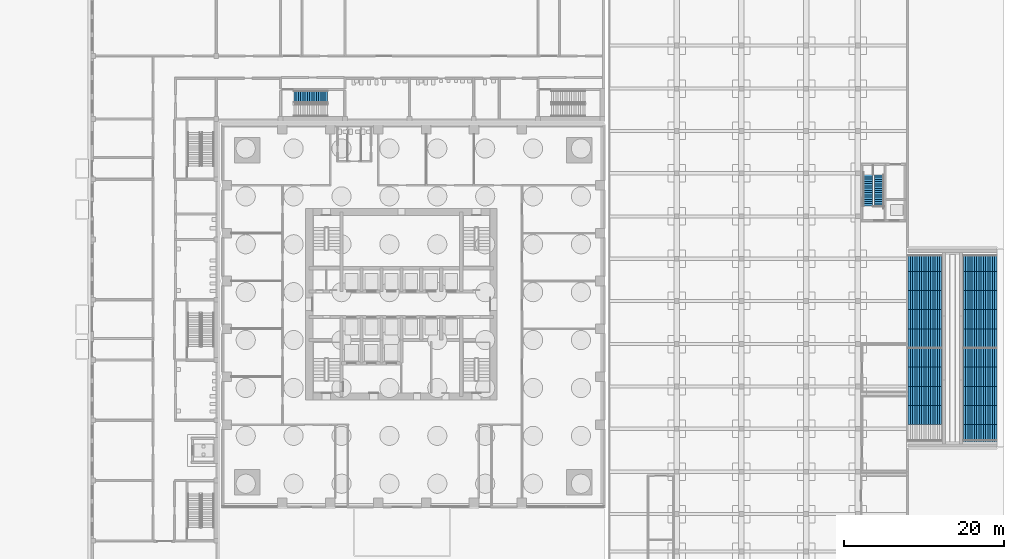
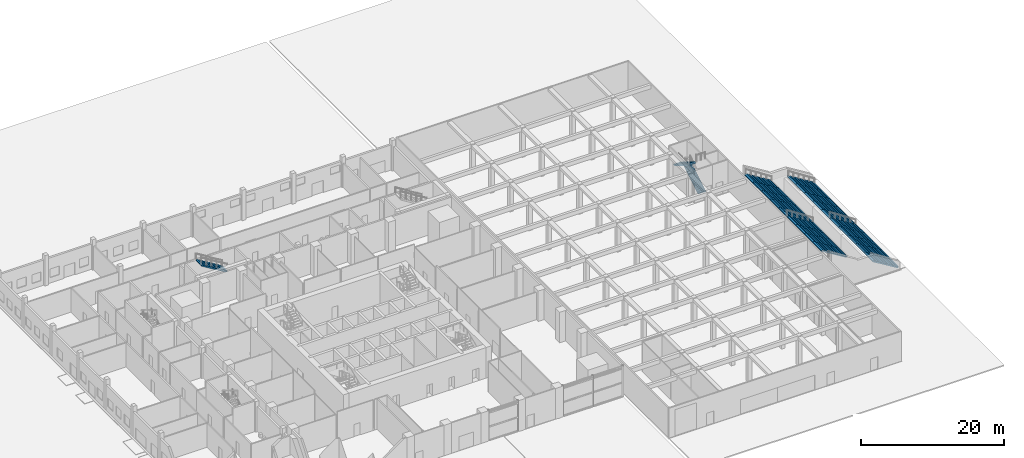
# One storey, part 22 of 33: 22 stair flights, 3 elements without a shape of their own.
"""IFC4 building model written with IfcOpenShell, lengths in metres."""

import ifcopenshell
import ifcopenshell.guid

model = None  # the IFC model being written
_history = None  # IfcOwnerHistory: only IFC2X3 demands one
_inside = {}  # id of a spatial element -> (the spatial element, [elements in it])
_under = {}  # id of a project, library or spatial element -> (it, [spatial elements below it])
_declared = {}  # id of a project -> (the project, [libraries it declares])
_typed = {}  # id of a type object -> (the type object, [elements of that type])
_made_of = {}  # id of a material, layer set ... -> (it, [elements and type objects made of it])


def new_model(schema):
    """Start an empty IFC model of exactly this schema.

    Asked for "IFC4X3", IfcOpenShell would pick the latest addendum, in which some entities
    have other attributes; the version numbers below select the first issue.
    IFC2X3 requires an IfcOwnerHistory on every rooted entity: one is made here for all.
    """
    global model, _history
    if schema == "IFC4X3":
        model = ifcopenshell.file(schema_version=(4, 3, 0, 0))
    else:
        model = ifcopenshell.file(schema=schema)
    _inside.clear()
    _under.clear()
    _declared.clear()
    _typed.clear()
    _made_of.clear()
    _history = None
    if model.schema == "IFC2X3":
        org = make("IfcOrganization", Name="unknown")
        user = make(
            "IfcPersonAndOrganization",
            ThePerson=make("IfcPerson", FamilyName="unknown"),
            TheOrganization=org,
        )
        app = make(
            "IfcApplication",
            ApplicationDeveloper=org,
            Version="unknown",
            ApplicationFullName="unknown",
            ApplicationIdentifier="unknown",
        )
        _history = make(
            "IfcOwnerHistory",
            OwningUser=user,
            OwningApplication=app,
            ChangeAction="ADDED",
            CreationDate=0,
        )
    return model


def make(cls, **values):
    """One entity of the class cls with the attributes given. An attribute that is None is left unset."""
    return model.create_entity(
        cls, **{name: value for name, value in values.items() if value is not None}
    )


def rooted(cls, **values):
    """An entity with a GlobalId (a new one), such as an element, a storey or a relation."""
    return make(cls, GlobalId=ifcopenshell.guid.new(), OwnerHistory=_history, **values)


def si_unit(unit_type, name, prefix=None):
    """IfcSIUnit, for example si_unit("LENGTHUNIT", "METRE", prefix="MILLI")."""
    return make("IfcSIUnit", UnitType=unit_type, Prefix=prefix, Name=name)


def assignment(units):
    """IfcUnitAssignment: the units of a project."""
    return None if units is None else make("IfcUnitAssignment", Units=units)


def point(xyz):
    """IfcCartesianPoint."""
    return None if xyz is None else make("IfcCartesianPoint", Coordinates=xyz)


def direction(xyz):
    """IfcDirection."""
    return None if xyz is None else make("IfcDirection", DirectionRatios=xyz)


def frame(location, z_axis=None, x_axis=None):
    """IfcAxis2Placement3D, a coordinate frame: its origin and axes. An axis left out is left unset."""
    return make(
        "IfcAxis2Placement3D",
        Location=point(location),
        Axis=direction(z_axis),
        RefDirection=direction(x_axis),
    )


def origin():
    """The frame at (0, 0, 0) with its axes left unset."""
    return frame((0.0, 0.0, 0.0))


def place(relative_to, where):
    """IfcLocalPlacement: puts the frame where relative to a parent placement (None: the world)."""
    return make(
        "IfcLocalPlacement", PlacementRelTo=relative_to, RelativePlacement=where
    )


def context(
    kind, dimensions, precision=None, world=None, true_north=None, identifier=None
):
    """IfcGeometricRepresentationContext, for example the 3D "Model" context."""
    return make(
        "IfcGeometricRepresentationContext",
        ContextIdentifier=identifier,
        ContextType=kind,
        CoordinateSpaceDimension=dimensions,
        Precision=precision,
        WorldCoordinateSystem=world,
        TrueNorth=true_north,
    )


def subcontext(parent, identifier, kind, view, scale=None):
    """IfcGeometricRepresentationSubContext, for example "Body" below "Model"."""
    return make(
        "IfcGeometricRepresentationSubContext",
        ContextIdentifier=identifier,
        ContextType=kind,
        ParentContext=parent,
        TargetScale=scale,
        TargetView=view,
    )


def project(units=None, contexts=None):
    """IfcProject with its units and contexts."""
    return rooted(
        "IfcProject",
        Name="project",
        RepresentationContexts=contexts,
        UnitsInContext=assignment(units),
    )


def spatial(cls, under=None, at=None, **own):
    """A site, building, storey or space (cls), placed at a placement, below another one or the project."""
    s = rooted(cls, ObjectPlacement=at, **own)
    if under is not None:
        _under.setdefault(under.id(), (under, []))[1].append(s)
    return s


def polyline(points):
    """IfcPolyline through the points."""
    return make("IfcPolyline", Points=[point(p) for p in points])


def outline(outer, holes=None, kind="AREA"):
    """IfcArbitraryClosedProfileDef: a profile drawn as a closed curve; with holes, ...WithVoids."""
    if holes is None:
        return make("IfcArbitraryClosedProfileDef", ProfileType=kind, OuterCurve=outer)
    return make(
        "IfcArbitraryProfileDefWithVoids",
        ProfileType=kind,
        OuterCurve=outer,
        InnerCurves=holes,
    )


def extrude(swept, where, along, depth):
    """IfcExtrudedAreaSolid: the profile swept, set in the frame where, extruded along a direction by depth."""
    return make(
        "IfcExtrudedAreaSolid",
        SweptArea=swept,
        Position=where,
        ExtrudedDirection=direction(along),
        Depth=depth,
    )


def shape(context_of_items, identifier, shape_type, items):
    """IfcShapeRepresentation: the items that make up one representation, for example the "Body"."""
    return make(
        "IfcShapeRepresentation",
        ContextOfItems=context_of_items,
        RepresentationIdentifier=identifier,
        RepresentationType=shape_type,
        Items=items,
    )


def material(Name=None, Category=None):
    """IfcMaterial."""
    return make("IfcMaterial", Name=Name, Category=Category)


def made_of(thing, what):
    """Note that an element or type object is made of a material, layer set ...; save() writes the relation."""
    if what is not None:
        _made_of.setdefault(what.id(), (what, []))[1].append(thing)
    return thing


def type_object(cls, material=None, **own):
    """A type object (cls), such as IfcWallType, which elements share."""
    return made_of(rooted(cls, **own), material)


def element(
    cls,
    number,
    at=None,
    inside=None,
    cuts=None,
    type_object=None,
    material=None,
    context=None,
    identifier="Body",
    shape_type=None,
    held_by="IfcProductDefinitionShape",
    body=None,
    shapes=None,
    **own,
):
    """One element of the class cls, such as IfcWall. Its Tag is "e" and its number.

    at: its placement. inside: the storey or other place that contains it. cuts: it is an
    opening in that element (IfcRelVoidsElement). A single representation is given by context,
    identifier, shape_type and body (its items); several are given by shapes. held_by: the class
    of the entity that holds the representations. save() writes the other relations.
    """
    e = rooted(cls, Tag="e%d" % number, ObjectPlacement=at, **own)
    if body is not None:
        shapes = [shape(context, identifier, shape_type, body)]
    if shapes is not None:
        e.Representation = make(held_by, Representations=shapes)
    if inside is not None:
        _inside.setdefault(inside.id(), (inside, []))[1].append(e)
    if cuts is not None:
        rooted(
            "IfcRelVoidsElement", RelatingBuildingElement=cuts, RelatedOpeningElement=e
        )
    if type_object is not None:
        _typed.setdefault(type_object.id(), (type_object, []))[1].append(e)
    return made_of(e, material)


def aggregate(whole, parts):
    """IfcRelAggregates: a whole, such as a stair, and the parts it consists of."""
    return rooted("IfcRelAggregates", RelatingObject=whole, RelatedObjects=parts)


def save(model, path):
    """Write the relations noted so far, then the file.

    IfcRelAggregates (storeys below a building ...), IfcRelContainedInSpatialStructure (elements
    in a storey), IfcRelDefinesByType, IfcRelAssociatesMaterial and IfcRelDeclares: one each for
    every whole, place, type object, material and project.
    """
    for whole, parts in _under.values():
        aggregate(whole, parts)
    for where, things in _inside.values():
        rooted(
            "IfcRelContainedInSpatialStructure",
            RelatedElements=things,
            RelatingStructure=where,
        )
    for kind, things in _typed.values():
        rooted("IfcRelDefinesByType", RelatedObjects=things, RelatingType=kind)
    for what, things in _made_of.values():
        rooted("IfcRelAssociatesMaterial", RelatedObjects=things, RelatingMaterial=what)
    for by, libraries in _declared.values():
        rooted("IfcRelDeclares", RelatingContext=by, RelatedDefinitions=libraries)
    model.write(path)


model = new_model("IFC4")

# Units and contexts
model_context = context("Model", 3, precision=1e-05, world=origin(), true_north=direction((0.0, 1.0)))
body_context = subcontext(model_context, "Body", "Model", "MODEL_VIEW")
ifc_project = project(units=[si_unit("LENGTHUNIT", "METRE"), si_unit("AREAUNIT", "SQUARE_METRE"), si_unit("VOLUMEUNIT", "CUBIC_METRE"), si_unit("PLANEANGLEUNIT", "RADIAN"), si_unit("MASSUNIT", "GRAM", prefix="KILO")], contexts=[model_context])

# Site, building, storey
site_placement = place(None, origin())
site = spatial("IfcSite", under=ifc_project, at=site_placement, CompositionType="ELEMENT")
building_placement = place(site_placement, origin())
building = spatial("IfcBuilding", under=site, at=building_placement, Name="Amberfall Residences", CompositionType="ELEMENT")
storey_placement = place(building_placement, origin())
storey = spatial("IfcBuildingStorey", under=building, at=storey_placement, Name="L00", CompositionType="ELEMENT", Elevation=0.0)

# Stair, stair flights
ifc_material_1 = material(Name="Reinforced concrete C40", Category="concrete")
stair_type_1 = type_object("IfcStairType", Name="Core stair 1200", PredefinedType="HALF_TURN_STAIR", material=ifc_material_1)
stair_1_placement = place(storey_placement, origin())
stair_1 = element("IfcStair", 1, at=stair_1_placement, inside=storey, type_object=stair_type_1, Name="Garden core stair", PredefinedType="HALF_TURN_STAIR")
stair_flight_type_1 = type_object("IfcStairFlightType", Name="Core stair flight 1200", PredefinedType="STRAIGHT", material=ifc_material_1)
stair_flight_1_placement = place(storey_placement, frame((134.35009765625, 57.5, 0.0), z_axis=(0.0, 0.0, 1.0), x_axis=(0.0, 1.0, 0.0)))
stair_flight_1 = element("IfcStairFlight", 2, at=stair_flight_1_placement, type_object=stair_flight_type_1, Name="GST2 flight 1", NumberOfRisers=16, NumberOfTreads=15, PredefinedType="STRAIGHT", RiserHeight=0.171875, TreadLength=0.28, context=body_context, shape_type="SweptSolid", body=[
    extrude(outline(polyline([(0.0, 0.0), (0.0, 0.171875), (0.280029296875, 0.171875), (0.280029296875, 0.34375), (0.56005859375, 0.34375), (0.56005859375, 0.515625), (0.840087890625, 0.515625), (0.840087890625, 0.6875), (1.1201171875, 0.6875), (1.1201171875, 0.859375), (1.39990234375, 0.859375), (1.39990234375, 1.03125), (1.679931640625, 1.03125), (1.679931640625, 1.203125), (1.9599609375, 1.203125), (1.9599609375, 1.375), (2.239990234375, 1.375), (2.239990234375, 1.546875), (2.52001953125, 1.546875), (2.52001953125, 1.71875), (2.800048828125, 1.71875), (2.800048828125, 1.890625), (3.080078125, 1.890625), (3.080078125, 2.0625), (3.360107421875, 2.0625), (3.360107421875, 2.234375), (3.639892578125, 2.234375), (3.639892578125, 2.40625), (3.919921875, 2.40625), (3.919921875, 2.578125), (4.199951171875, 2.578125), (4.199951171875, 2.75), (4.199951171875, 2.40234375), (0.28662109375, 0.0), (0.0, 0.0)])), frame((0.0, 0.60009765625, 0.0), z_axis=(0.0, -1.0, 0.0), x_axis=(1.0, 0.0, 0.0)), (0.0, 0.0, 1.0), 1.199951171875),
])
stair_flight_2_placement = place(storey_placement, frame((132.949951171875, 62.0, 2.75), z_axis=(0.0, 0.0, 1.0), x_axis=(0.0, -1.0, 0.0)))
stair_flight_2 = element("IfcStairFlight", 3, at=stair_flight_2_placement, type_object=stair_flight_type_1, Name="GST2 flight 2", NumberOfRisers=16, NumberOfTreads=15, PredefinedType="STRAIGHT", RiserHeight=0.171875, TreadLength=0.28, context=body_context, shape_type="SweptSolid", body=[
    extrude(outline(polyline([(0.0, 0.0), (0.0, 0.171875), (0.280029296875, 0.171875), (0.280029296875, 0.34375), (0.56005859375, 0.34375), (0.56005859375, 0.515625), (0.840087890625, 0.515625), (0.840087890625, 0.6875), (1.1201171875, 0.6875), (1.1201171875, 0.859375), (1.39990234375, 0.859375), (1.39990234375, 1.03125), (1.679931640625, 1.03125), (1.679931640625, 1.203125), (1.9599609375, 1.203125), (1.9599609375, 1.375), (2.239990234375, 1.375), (2.239990234375, 1.546875), (2.52001953125, 1.546875), (2.52001953125, 1.71875), (2.800048828125, 1.71875), (2.800048828125, 1.890625), (3.080078125, 1.890625), (3.080078125, 2.0625), (3.360107421875, 2.0625), (3.360107421875, 2.234375), (3.639892578125, 2.234375), (3.639892578125, 2.40625), (3.919921875, 2.40625), (3.919921875, 2.578125), (4.199951171875, 2.578125), (4.199951171875, 2.75), (4.199951171875, 2.40234375), (0.28662109375, 0.0), (0.0, 0.0)])), frame((0.0, 0.60009765625, 0.0), z_axis=(0.0, -1.0, 0.0), x_axis=(1.0, 0.0, 0.0)), (0.0, 0.0, 1.0), 1.199951171875),
])
aggregate(stair_1, [stair_flight_1, stair_flight_2])

stair_type_2 = type_object("IfcStairType", Name="Deck stair 24000", PredefinedType="STRAIGHT_RUN_STAIR", material=ifc_material_1)
stair_2_placement = place(storey_placement, origin())
stair_2 = element("IfcStair", 4, at=stair_2_placement, inside=storey, type_object=stair_type_2, Name="Garden deck broad stair", PredefinedType="STRAIGHT_RUN_STAIR")
stair_flight_type_2 = type_object("IfcStairFlightType", Name="Deck stair flight 24000", PredefinedType="STRAIGHT", material=ifc_material_1)
stair_flight_3_placement = place(storey_placement, frame((149.10009765625, 29.199951171875, 0.0), z_axis=(0.0, 0.0, 1.0), x_axis=(-1.0, 0.0, 0.0)))
stair_flight_3 = element("IfcStairFlight", 5, at=stair_flight_3_placement, type_object=stair_flight_type_2, Name="GST1 flight 1", NumberOfRisers=16, NumberOfTreads=15, PredefinedType="STRAIGHT", RiserHeight=0.171875, TreadLength=0.28, context=body_context, shape_type="SweptSolid", body=[
    extrude(outline(polyline([(0.0, 0.0), (0.0, 0.171875), (0.280029296875, 0.171875), (0.280029296875, 0.34375), (0.56005859375, 0.34375), (0.56005859375, 0.515625), (0.840087890625, 0.515625), (0.840087890625, 0.6875), (1.1201171875, 0.6875), (1.1201171875, 0.859375), (1.39990234375, 0.859375), (1.39990234375, 1.03125), (1.679931640625, 1.03125), (1.679931640625, 1.203125), (1.9599609375, 1.203125), (1.9599609375, 1.375), (2.239990234375, 1.375), (2.239990234375, 1.546875), (2.52001953125, 1.546875), (2.52001953125, 1.71875), (2.800048828125, 1.71875), (2.800048828125, 1.890625), (3.080078125, 1.890625), (3.080078125, 2.0625), (3.360107421875, 2.0625), (3.360107421875, 2.234375), (3.639892578125, 2.234375), (3.639892578125, 2.40625), (3.919921875, 2.40625), (3.919921875, 2.578125), (4.199951171875, 2.578125), (4.199951171875, 2.75), (4.199951171875, 2.40234375), (0.28662109375, 0.0), (0.0, 0.0)])), frame((0.0, 1.199951171875, 0.0), z_axis=(0.0, -1.0, 0.0), x_axis=(1.0, 0.0, 0.0)), (0.0, 0.0, 1.0), 2.39990234375),
])
stair_flight_4_placement = place(storey_placement, frame((149.10009765625, 31.60009765625, 0.0), z_axis=(0.0, 0.0, 1.0), x_axis=(-1.0, 0.0, 0.0)))
stair_flight_4 = element("IfcStairFlight", 6, at=stair_flight_4_placement, type_object=stair_flight_type_2, Name="GST1 flight 2", NumberOfRisers=16, NumberOfTreads=15, PredefinedType="STRAIGHT", RiserHeight=0.171875, TreadLength=0.28, context=body_context, shape_type="SweptSolid", body=[
    extrude(outline(polyline([(0.0, 0.0), (0.0, 0.171875), (0.280029296875, 0.171875), (0.280029296875, 0.34375), (0.56005859375, 0.34375), (0.56005859375, 0.515625), (0.840087890625, 0.515625), (0.840087890625, 0.6875), (1.1201171875, 0.6875), (1.1201171875, 0.859375), (1.39990234375, 0.859375), (1.39990234375, 1.03125), (1.679931640625, 1.03125), (1.679931640625, 1.203125), (1.9599609375, 1.203125), (1.9599609375, 1.375), (2.239990234375, 1.375), (2.239990234375, 1.546875), (2.52001953125, 1.546875), (2.52001953125, 1.71875), (2.800048828125, 1.71875), (2.800048828125, 1.890625), (3.080078125, 1.890625), (3.080078125, 2.0625), (3.360107421875, 2.0625), (3.360107421875, 2.234375), (3.639892578125, 2.234375), (3.639892578125, 2.40625), (3.919921875, 2.40625), (3.919921875, 2.578125), (4.199951171875, 2.578125), (4.199951171875, 2.75), (4.199951171875, 2.40234375), (0.28662109375, 0.0), (0.0, 0.0)])), frame((0.0, 1.199951171875, 0.0), z_axis=(0.0, -1.0, 0.0), x_axis=(1.0, 0.0, 0.0)), (0.0, 0.0, 1.0), 2.39990234375),
])
stair_flight_5_placement = place(storey_placement, frame((149.10009765625, 34.0, 0.0), z_axis=(0.0, 0.0, 1.0), x_axis=(-1.0, 0.0, 0.0)))
stair_flight_5 = element("IfcStairFlight", 7, at=stair_flight_5_placement, type_object=stair_flight_type_2, Name="GST1 flight 3", NumberOfRisers=16, NumberOfTreads=15, PredefinedType="STRAIGHT", RiserHeight=0.171875, TreadLength=0.28, context=body_context, shape_type="SweptSolid", body=[
    extrude(outline(polyline([(0.0, 0.0), (0.0, 0.171875), (0.280029296875, 0.171875), (0.280029296875, 0.34375), (0.56005859375, 0.34375), (0.56005859375, 0.515625), (0.840087890625, 0.515625), (0.840087890625, 0.6875), (1.1201171875, 0.6875), (1.1201171875, 0.859375), (1.39990234375, 0.859375), (1.39990234375, 1.03125), (1.679931640625, 1.03125), (1.679931640625, 1.203125), (1.9599609375, 1.203125), (1.9599609375, 1.375), (2.239990234375, 1.375), (2.239990234375, 1.546875), (2.52001953125, 1.546875), (2.52001953125, 1.71875), (2.800048828125, 1.71875), (2.800048828125, 1.890625), (3.080078125, 1.890625), (3.080078125, 2.0625), (3.360107421875, 2.0625), (3.360107421875, 2.234375), (3.639892578125, 2.234375), (3.639892578125, 2.40625), (3.919921875, 2.40625), (3.919921875, 2.578125), (4.199951171875, 2.578125), (4.199951171875, 2.75), (4.199951171875, 2.40234375), (0.28662109375, 0.0), (0.0, 0.0)])), frame((0.0, 1.199951171875, 0.0), z_axis=(0.0, -1.0, 0.0), x_axis=(1.0, 0.0, 0.0)), (0.0, 0.0, 1.0), 2.39990234375),
])
stair_flight_6_placement = place(storey_placement, frame((149.10009765625, 36.39990234375, 0.0), z_axis=(0.0, 0.0, 1.0), x_axis=(-1.0, 0.0, 0.0)))
stair_flight_6 = element("IfcStairFlight", 8, at=stair_flight_6_placement, type_object=stair_flight_type_2, Name="GST1 flight 4", NumberOfRisers=16, NumberOfTreads=15, PredefinedType="STRAIGHT", RiserHeight=0.171875, TreadLength=0.28, context=body_context, shape_type="SweptSolid", body=[
    extrude(outline(polyline([(0.0, 0.0), (0.0, 0.171875), (0.280029296875, 0.171875), (0.280029296875, 0.34375), (0.56005859375, 0.34375), (0.56005859375, 0.515625), (0.840087890625, 0.515625), (0.840087890625, 0.6875), (1.1201171875, 0.6875), (1.1201171875, 0.859375), (1.39990234375, 0.859375), (1.39990234375, 1.03125), (1.679931640625, 1.03125), (1.679931640625, 1.203125), (1.9599609375, 1.203125), (1.9599609375, 1.375), (2.239990234375, 1.375), (2.239990234375, 1.546875), (2.52001953125, 1.546875), (2.52001953125, 1.71875), (2.800048828125, 1.71875), (2.800048828125, 1.890625), (3.080078125, 1.890625), (3.080078125, 2.0625), (3.360107421875, 2.0625), (3.360107421875, 2.234375), (3.639892578125, 2.234375), (3.639892578125, 2.40625), (3.919921875, 2.40625), (3.919921875, 2.578125), (4.199951171875, 2.578125), (4.199951171875, 2.75), (4.199951171875, 2.40234375), (0.28662109375, 0.0), (0.0, 0.0)])), frame((0.0, 1.199951171875, 0.0), z_axis=(0.0, -1.0, 0.0), x_axis=(1.0, 0.0, 0.0)), (0.0, 0.0, 1.0), 2.39990234375),
])
stair_flight_7_placement = place(storey_placement, frame((149.10009765625, 38.800048828125, 0.0), z_axis=(0.0, 0.0, 1.0), x_axis=(-1.0, 0.0, 0.0)))
stair_flight_7 = element("IfcStairFlight", 9, at=stair_flight_7_placement, type_object=stair_flight_type_2, Name="GST1 flight 5", NumberOfRisers=16, NumberOfTreads=15, PredefinedType="STRAIGHT", RiserHeight=0.171875, TreadLength=0.28, context=body_context, shape_type="SweptSolid", body=[
    extrude(outline(polyline([(0.0, 0.0), (0.0, 0.171875), (0.280029296875, 0.171875), (0.280029296875, 0.34375), (0.56005859375, 0.34375), (0.56005859375, 0.515625), (0.840087890625, 0.515625), (0.840087890625, 0.6875), (1.1201171875, 0.6875), (1.1201171875, 0.859375), (1.39990234375, 0.859375), (1.39990234375, 1.03125), (1.679931640625, 1.03125), (1.679931640625, 1.203125), (1.9599609375, 1.203125), (1.9599609375, 1.375), (2.239990234375, 1.375), (2.239990234375, 1.546875), (2.52001953125, 1.546875), (2.52001953125, 1.71875), (2.800048828125, 1.71875), (2.800048828125, 1.890625), (3.080078125, 1.890625), (3.080078125, 2.0625), (3.360107421875, 2.0625), (3.360107421875, 2.234375), (3.639892578125, 2.234375), (3.639892578125, 2.40625), (3.919921875, 2.40625), (3.919921875, 2.578125), (4.199951171875, 2.578125), (4.199951171875, 2.75), (4.199951171875, 2.40234375), (0.28662109375, 0.0), (0.0, 0.0)])), frame((0.0, 1.199951171875, 0.0), z_axis=(0.0, -1.0, 0.0), x_axis=(1.0, 0.0, 0.0)), (0.0, 0.0, 1.0), 2.39990234375),
])
stair_flight_8_placement = place(storey_placement, frame((149.10009765625, 41.199951171875, 0.0), z_axis=(0.0, 0.0, 1.0), x_axis=(-1.0, 0.0, 0.0)))
stair_flight_8 = element("IfcStairFlight", 10, at=stair_flight_8_placement, type_object=stair_flight_type_2, Name="GST1 flight 6", NumberOfRisers=16, NumberOfTreads=15, PredefinedType="STRAIGHT", RiserHeight=0.171875, TreadLength=0.28, context=body_context, shape_type="SweptSolid", body=[
    extrude(outline(polyline([(0.0, 0.0), (0.0, 0.171875), (0.280029296875, 0.171875), (0.280029296875, 0.34375), (0.56005859375, 0.34375), (0.56005859375, 0.515625), (0.840087890625, 0.515625), (0.840087890625, 0.6875), (1.1201171875, 0.6875), (1.1201171875, 0.859375), (1.39990234375, 0.859375), (1.39990234375, 1.03125), (1.679931640625, 1.03125), (1.679931640625, 1.203125), (1.9599609375, 1.203125), (1.9599609375, 1.375), (2.239990234375, 1.375), (2.239990234375, 1.546875), (2.52001953125, 1.546875), (2.52001953125, 1.71875), (2.800048828125, 1.71875), (2.800048828125, 1.890625), (3.080078125, 1.890625), (3.080078125, 2.0625), (3.360107421875, 2.0625), (3.360107421875, 2.234375), (3.639892578125, 2.234375), (3.639892578125, 2.40625), (3.919921875, 2.40625), (3.919921875, 2.578125), (4.199951171875, 2.578125), (4.199951171875, 2.75), (4.199951171875, 2.40234375), (0.28662109375, 0.0), (0.0, 0.0)])), frame((0.0, 1.199951171875, 0.0), z_axis=(0.0, -1.0, 0.0), x_axis=(1.0, 0.0, 0.0)), (0.0, 0.0, 1.0), 2.39990234375),
])
stair_flight_9_placement = place(storey_placement, frame((149.10009765625, 43.60009765625, 0.0), z_axis=(0.0, 0.0, 1.0), x_axis=(-1.0, 0.0, 0.0)))
stair_flight_9 = element("IfcStairFlight", 11, at=stair_flight_9_placement, type_object=stair_flight_type_2, Name="GST1 flight 7", NumberOfRisers=16, NumberOfTreads=15, PredefinedType="STRAIGHT", RiserHeight=0.171875, TreadLength=0.28, context=body_context, shape_type="SweptSolid", body=[
    extrude(outline(polyline([(0.0, 0.0), (0.0, 0.171875), (0.280029296875, 0.171875), (0.280029296875, 0.34375), (0.56005859375, 0.34375), (0.56005859375, 0.515625), (0.840087890625, 0.515625), (0.840087890625, 0.6875), (1.1201171875, 0.6875), (1.1201171875, 0.859375), (1.39990234375, 0.859375), (1.39990234375, 1.03125), (1.679931640625, 1.03125), (1.679931640625, 1.203125), (1.9599609375, 1.203125), (1.9599609375, 1.375), (2.239990234375, 1.375), (2.239990234375, 1.546875), (2.52001953125, 1.546875), (2.52001953125, 1.71875), (2.800048828125, 1.71875), (2.800048828125, 1.890625), (3.080078125, 1.890625), (3.080078125, 2.0625), (3.360107421875, 2.0625), (3.360107421875, 2.234375), (3.639892578125, 2.234375), (3.639892578125, 2.40625), (3.919921875, 2.40625), (3.919921875, 2.578125), (4.199951171875, 2.578125), (4.199951171875, 2.75), (4.199951171875, 2.40234375), (0.28662109375, 0.0), (0.0, 0.0)])), frame((0.0, 1.199951171875, 0.0), z_axis=(0.0, -1.0, 0.0), x_axis=(1.0, 0.0, 0.0)), (0.0, 0.0, 1.0), 2.39990234375),
])
stair_flight_10_placement = place(storey_placement, frame((149.10009765625, 46.0, 0.0), z_axis=(0.0, 0.0, 1.0), x_axis=(-1.0, 0.0, 0.0)))
stair_flight_10 = element("IfcStairFlight", 12, at=stair_flight_10_placement, type_object=stair_flight_type_2, Name="GST1 flight 8", NumberOfRisers=16, NumberOfTreads=15, PredefinedType="STRAIGHT", RiserHeight=0.171875, TreadLength=0.28, context=body_context, shape_type="SweptSolid", body=[
    extrude(outline(polyline([(0.0, 0.0), (0.0, 0.171875), (0.280029296875, 0.171875), (0.280029296875, 0.34375), (0.56005859375, 0.34375), (0.56005859375, 0.515625), (0.840087890625, 0.515625), (0.840087890625, 0.6875), (1.1201171875, 0.6875), (1.1201171875, 0.859375), (1.39990234375, 0.859375), (1.39990234375, 1.03125), (1.679931640625, 1.03125), (1.679931640625, 1.203125), (1.9599609375, 1.203125), (1.9599609375, 1.375), (2.239990234375, 1.375), (2.239990234375, 1.546875), (2.52001953125, 1.546875), (2.52001953125, 1.71875), (2.800048828125, 1.71875), (2.800048828125, 1.890625), (3.080078125, 1.890625), (3.080078125, 2.0625), (3.360107421875, 2.0625), (3.360107421875, 2.234375), (3.639892578125, 2.234375), (3.639892578125, 2.40625), (3.919921875, 2.40625), (3.919921875, 2.578125), (4.199951171875, 2.578125), (4.199951171875, 2.75), (4.199951171875, 2.40234375), (0.28662109375, 0.0), (0.0, 0.0)])), frame((0.0, 1.199951171875, 0.0), z_axis=(0.0, -1.0, 0.0), x_axis=(1.0, 0.0, 0.0)), (0.0, 0.0, 1.0), 2.39990234375),
])
stair_flight_11_placement = place(storey_placement, frame((149.10009765625, 48.39990234375, 0.0), z_axis=(0.0, 0.0, 1.0), x_axis=(-1.0, 0.0, 0.0)))
stair_flight_11 = element("IfcStairFlight", 13, at=stair_flight_11_placement, type_object=stair_flight_type_2, Name="GST1 flight 9", NumberOfRisers=16, NumberOfTreads=15, PredefinedType="STRAIGHT", RiserHeight=0.171875, TreadLength=0.28, context=body_context, shape_type="SweptSolid", body=[
    extrude(outline(polyline([(0.0, 0.0), (0.0, 0.171875), (0.280029296875, 0.171875), (0.280029296875, 0.34375), (0.56005859375, 0.34375), (0.56005859375, 0.515625), (0.840087890625, 0.515625), (0.840087890625, 0.6875), (1.1201171875, 0.6875), (1.1201171875, 0.859375), (1.39990234375, 0.859375), (1.39990234375, 1.03125), (1.679931640625, 1.03125), (1.679931640625, 1.203125), (1.9599609375, 1.203125), (1.9599609375, 1.375), (2.239990234375, 1.375), (2.239990234375, 1.546875), (2.52001953125, 1.546875), (2.52001953125, 1.71875), (2.800048828125, 1.71875), (2.800048828125, 1.890625), (3.080078125, 1.890625), (3.080078125, 2.0625), (3.360107421875, 2.0625), (3.360107421875, 2.234375), (3.639892578125, 2.234375), (3.639892578125, 2.40625), (3.919921875, 2.40625), (3.919921875, 2.578125), (4.199951171875, 2.578125), (4.199951171875, 2.75), (4.199951171875, 2.40234375), (0.28662109375, 0.0), (0.0, 0.0)])), frame((0.0, 1.199951171875, 0.0), z_axis=(0.0, -1.0, 0.0), x_axis=(1.0, 0.0, 0.0)), (0.0, 0.0, 1.0), 2.39990234375),
])
stair_flight_12_placement = place(storey_placement, frame((149.10009765625, 50.800048828125, 0.0), z_axis=(0.0, 0.0, 1.0), x_axis=(-1.0, 0.0, 0.0)))
stair_flight_12 = element("IfcStairFlight", 14, at=stair_flight_12_placement, type_object=stair_flight_type_2, Name="GST1 flight 10", NumberOfRisers=16, NumberOfTreads=15, PredefinedType="STRAIGHT", RiserHeight=0.171875, TreadLength=0.28, context=body_context, shape_type="SweptSolid", body=[
    extrude(outline(polyline([(0.0, 0.0), (0.0, 0.171875), (0.280029296875, 0.171875), (0.280029296875, 0.34375), (0.56005859375, 0.34375), (0.56005859375, 0.515625), (0.840087890625, 0.515625), (0.840087890625, 0.6875), (1.1201171875, 0.6875), (1.1201171875, 0.859375), (1.39990234375, 0.859375), (1.39990234375, 1.03125), (1.679931640625, 1.03125), (1.679931640625, 1.203125), (1.9599609375, 1.203125), (1.9599609375, 1.375), (2.239990234375, 1.375), (2.239990234375, 1.546875), (2.52001953125, 1.546875), (2.52001953125, 1.71875), (2.800048828125, 1.71875), (2.800048828125, 1.890625), (3.080078125, 1.890625), (3.080078125, 2.0625), (3.360107421875, 2.0625), (3.360107421875, 2.234375), (3.639892578125, 2.234375), (3.639892578125, 2.40625), (3.919921875, 2.40625), (3.919921875, 2.578125), (4.199951171875, 2.578125), (4.199951171875, 2.75), (4.199951171875, 2.40234375), (0.28662109375, 0.0), (0.0, 0.0)])), frame((0.0, 1.199951171875, 0.0), z_axis=(0.0, -1.0, 0.0), x_axis=(1.0, 0.0, 0.0)), (0.0, 0.0, 1.0), 2.39990234375),
])
stair_flight_13_placement = place(storey_placement, frame((142.199951171875, 31.60009765625, 2.75), z_axis=(0.0, 0.0, 1.0), x_axis=(-1.0, 0.0, 0.0)))
stair_flight_13 = element("IfcStairFlight", 15, at=stair_flight_13_placement, type_object=stair_flight_type_2, Name="GST1 flight 12", NumberOfRisers=16, NumberOfTreads=15, PredefinedType="STRAIGHT", RiserHeight=0.171875, TreadLength=0.28, context=body_context, shape_type="SweptSolid", body=[
    extrude(outline(polyline([(0.0, 0.0), (0.0, 0.171875), (0.280029296875, 0.171875), (0.280029296875, 0.34375), (0.56005859375, 0.34375), (0.56005859375, 0.515625), (0.840087890625, 0.515625), (0.840087890625, 0.6875), (1.1201171875, 0.6875), (1.1201171875, 0.859375), (1.39990234375, 0.859375), (1.39990234375, 1.03125), (1.679931640625, 1.03125), (1.679931640625, 1.203125), (1.9599609375, 1.203125), (1.9599609375, 1.375), (2.239990234375, 1.375), (2.239990234375, 1.546875), (2.52001953125, 1.546875), (2.52001953125, 1.71875), (2.800048828125, 1.71875), (2.800048828125, 1.890625), (3.080078125, 1.890625), (3.080078125, 2.0625), (3.360107421875, 2.0625), (3.360107421875, 2.234375), (3.639892578125, 2.234375), (3.639892578125, 2.40625), (3.919921875, 2.40625), (3.919921875, 2.578125), (4.199951171875, 2.578125), (4.199951171875, 2.75), (4.199951171875, 2.40234375), (0.28662109375, 0.0), (0.0, 0.0)])), frame((0.0, 1.199951171875, 0.0), z_axis=(0.0, -1.0, 0.0), x_axis=(1.0, 0.0, 0.0)), (0.0, 0.0, 1.0), 2.39990234375),
])
stair_flight_14_placement = place(storey_placement, frame((142.199951171875, 34.0, 2.75), z_axis=(0.0, 0.0, 1.0), x_axis=(-1.0, 0.0, 0.0)))
stair_flight_14 = element("IfcStairFlight", 16, at=stair_flight_14_placement, type_object=stair_flight_type_2, Name="GST1 flight 13", NumberOfRisers=16, NumberOfTreads=15, PredefinedType="STRAIGHT", RiserHeight=0.171875, TreadLength=0.28, context=body_context, shape_type="SweptSolid", body=[
    extrude(outline(polyline([(0.0, 0.0), (0.0, 0.171875), (0.280029296875, 0.171875), (0.280029296875, 0.34375), (0.56005859375, 0.34375), (0.56005859375, 0.515625), (0.840087890625, 0.515625), (0.840087890625, 0.6875), (1.1201171875, 0.6875), (1.1201171875, 0.859375), (1.39990234375, 0.859375), (1.39990234375, 1.03125), (1.679931640625, 1.03125), (1.679931640625, 1.203125), (1.9599609375, 1.203125), (1.9599609375, 1.375), (2.239990234375, 1.375), (2.239990234375, 1.546875), (2.52001953125, 1.546875), (2.52001953125, 1.71875), (2.800048828125, 1.71875), (2.800048828125, 1.890625), (3.080078125, 1.890625), (3.080078125, 2.0625), (3.360107421875, 2.0625), (3.360107421875, 2.234375), (3.639892578125, 2.234375), (3.639892578125, 2.40625), (3.919921875, 2.40625), (3.919921875, 2.578125), (4.199951171875, 2.578125), (4.199951171875, 2.75), (4.199951171875, 2.40234375), (0.28662109375, 0.0), (0.0, 0.0)])), frame((0.0, 1.199951171875, 0.0), z_axis=(0.0, -1.0, 0.0), x_axis=(1.0, 0.0, 0.0)), (0.0, 0.0, 1.0), 2.39990234375),
])
stair_flight_15_placement = place(storey_placement, frame((142.199951171875, 36.39990234375, 2.75), z_axis=(0.0, 0.0, 1.0), x_axis=(-1.0, 0.0, 0.0)))
stair_flight_15 = element("IfcStairFlight", 17, at=stair_flight_15_placement, type_object=stair_flight_type_2, Name="GST1 flight 14", NumberOfRisers=16, NumberOfTreads=15, PredefinedType="STRAIGHT", RiserHeight=0.171875, TreadLength=0.28, context=body_context, shape_type="SweptSolid", body=[
    extrude(outline(polyline([(0.0, 0.0), (0.0, 0.171875), (0.280029296875, 0.171875), (0.280029296875, 0.34375), (0.56005859375, 0.34375), (0.56005859375, 0.515625), (0.840087890625, 0.515625), (0.840087890625, 0.6875), (1.1201171875, 0.6875), (1.1201171875, 0.859375), (1.39990234375, 0.859375), (1.39990234375, 1.03125), (1.679931640625, 1.03125), (1.679931640625, 1.203125), (1.9599609375, 1.203125), (1.9599609375, 1.375), (2.239990234375, 1.375), (2.239990234375, 1.546875), (2.52001953125, 1.546875), (2.52001953125, 1.71875), (2.800048828125, 1.71875), (2.800048828125, 1.890625), (3.080078125, 1.890625), (3.080078125, 2.0625), (3.360107421875, 2.0625), (3.360107421875, 2.234375), (3.639892578125, 2.234375), (3.639892578125, 2.40625), (3.919921875, 2.40625), (3.919921875, 2.578125), (4.199951171875, 2.578125), (4.199951171875, 2.75), (4.199951171875, 2.40234375), (0.28662109375, 0.0), (0.0, 0.0)])), frame((0.0, 1.199951171875, 0.0), z_axis=(0.0, -1.0, 0.0), x_axis=(1.0, 0.0, 0.0)), (0.0, 0.0, 1.0), 2.39990234375),
])
stair_flight_16_placement = place(storey_placement, frame((142.199951171875, 38.800048828125, 2.75), z_axis=(0.0, 0.0, 1.0), x_axis=(-1.0, 0.0, 0.0)))
stair_flight_16 = element("IfcStairFlight", 18, at=stair_flight_16_placement, type_object=stair_flight_type_2, Name="GST1 flight 15", NumberOfRisers=16, NumberOfTreads=15, PredefinedType="STRAIGHT", RiserHeight=0.171875, TreadLength=0.28, context=body_context, shape_type="SweptSolid", body=[
    extrude(outline(polyline([(0.0, 0.0), (0.0, 0.171875), (0.280029296875, 0.171875), (0.280029296875, 0.34375), (0.56005859375, 0.34375), (0.56005859375, 0.515625), (0.840087890625, 0.515625), (0.840087890625, 0.6875), (1.1201171875, 0.6875), (1.1201171875, 0.859375), (1.39990234375, 0.859375), (1.39990234375, 1.03125), (1.679931640625, 1.03125), (1.679931640625, 1.203125), (1.9599609375, 1.203125), (1.9599609375, 1.375), (2.239990234375, 1.375), (2.239990234375, 1.546875), (2.52001953125, 1.546875), (2.52001953125, 1.71875), (2.800048828125, 1.71875), (2.800048828125, 1.890625), (3.080078125, 1.890625), (3.080078125, 2.0625), (3.360107421875, 2.0625), (3.360107421875, 2.234375), (3.639892578125, 2.234375), (3.639892578125, 2.40625), (3.919921875, 2.40625), (3.919921875, 2.578125), (4.199951171875, 2.578125), (4.199951171875, 2.75), (4.199951171875, 2.40234375), (0.28662109375, 0.0), (0.0, 0.0)])), frame((0.0, 1.199951171875, 0.0), z_axis=(0.0, -1.0, 0.0), x_axis=(1.0, 0.0, 0.0)), (0.0, 0.0, 1.0), 2.39990234375),
])
stair_flight_17_placement = place(storey_placement, frame((142.199951171875, 41.199951171875, 2.75), z_axis=(0.0, 0.0, 1.0), x_axis=(-1.0, 0.0, 0.0)))
stair_flight_17 = element("IfcStairFlight", 19, at=stair_flight_17_placement, type_object=stair_flight_type_2, Name="GST1 flight 16", NumberOfRisers=16, NumberOfTreads=15, PredefinedType="STRAIGHT", RiserHeight=0.171875, TreadLength=0.28, context=body_context, shape_type="SweptSolid", body=[
    extrude(outline(polyline([(0.0, 0.0), (0.0, 0.171875), (0.280029296875, 0.171875), (0.280029296875, 0.34375), (0.56005859375, 0.34375), (0.56005859375, 0.515625), (0.840087890625, 0.515625), (0.840087890625, 0.6875), (1.1201171875, 0.6875), (1.1201171875, 0.859375), (1.39990234375, 0.859375), (1.39990234375, 1.03125), (1.679931640625, 1.03125), (1.679931640625, 1.203125), (1.9599609375, 1.203125), (1.9599609375, 1.375), (2.239990234375, 1.375), (2.239990234375, 1.546875), (2.52001953125, 1.546875), (2.52001953125, 1.71875), (2.800048828125, 1.71875), (2.800048828125, 1.890625), (3.080078125, 1.890625), (3.080078125, 2.0625), (3.360107421875, 2.0625), (3.360107421875, 2.234375), (3.639892578125, 2.234375), (3.639892578125, 2.40625), (3.919921875, 2.40625), (3.919921875, 2.578125), (4.199951171875, 2.578125), (4.199951171875, 2.75), (4.199951171875, 2.40234375), (0.28662109375, 0.0), (0.0, 0.0)])), frame((0.0, 1.199951171875, 0.0), z_axis=(0.0, -1.0, 0.0), x_axis=(1.0, 0.0, 0.0)), (0.0, 0.0, 1.0), 2.39990234375),
])
stair_flight_18_placement = place(storey_placement, frame((142.199951171875, 43.60009765625, 2.75), z_axis=(0.0, 0.0, 1.0), x_axis=(-1.0, 0.0, 0.0)))
stair_flight_18 = element("IfcStairFlight", 20, at=stair_flight_18_placement, type_object=stair_flight_type_2, Name="GST1 flight 17", NumberOfRisers=16, NumberOfTreads=15, PredefinedType="STRAIGHT", RiserHeight=0.171875, TreadLength=0.28, context=body_context, shape_type="SweptSolid", body=[
    extrude(outline(polyline([(0.0, 0.0), (0.0, 0.171875), (0.280029296875, 0.171875), (0.280029296875, 0.34375), (0.56005859375, 0.34375), (0.56005859375, 0.515625), (0.840087890625, 0.515625), (0.840087890625, 0.6875), (1.1201171875, 0.6875), (1.1201171875, 0.859375), (1.39990234375, 0.859375), (1.39990234375, 1.03125), (1.679931640625, 1.03125), (1.679931640625, 1.203125), (1.9599609375, 1.203125), (1.9599609375, 1.375), (2.239990234375, 1.375), (2.239990234375, 1.546875), (2.52001953125, 1.546875), (2.52001953125, 1.71875), (2.800048828125, 1.71875), (2.800048828125, 1.890625), (3.080078125, 1.890625), (3.080078125, 2.0625), (3.360107421875, 2.0625), (3.360107421875, 2.234375), (3.639892578125, 2.234375), (3.639892578125, 2.40625), (3.919921875, 2.40625), (3.919921875, 2.578125), (4.199951171875, 2.578125), (4.199951171875, 2.75), (4.199951171875, 2.40234375), (0.28662109375, 0.0), (0.0, 0.0)])), frame((0.0, 1.199951171875, 0.0), z_axis=(0.0, -1.0, 0.0), x_axis=(1.0, 0.0, 0.0)), (0.0, 0.0, 1.0), 2.39990234375),
])
stair_flight_19_placement = place(storey_placement, frame((142.199951171875, 46.0, 2.75), z_axis=(0.0, 0.0, 1.0), x_axis=(-1.0, 0.0, 0.0)))
stair_flight_19 = element("IfcStairFlight", 21, at=stair_flight_19_placement, type_object=stair_flight_type_2, Name="GST1 flight 18", NumberOfRisers=16, NumberOfTreads=15, PredefinedType="STRAIGHT", RiserHeight=0.171875, TreadLength=0.28, context=body_context, shape_type="SweptSolid", body=[
    extrude(outline(polyline([(0.0, 0.0), (0.0, 0.171875), (0.280029296875, 0.171875), (0.280029296875, 0.34375), (0.56005859375, 0.34375), (0.56005859375, 0.515625), (0.840087890625, 0.515625), (0.840087890625, 0.6875), (1.1201171875, 0.6875), (1.1201171875, 0.859375), (1.39990234375, 0.859375), (1.39990234375, 1.03125), (1.679931640625, 1.03125), (1.679931640625, 1.203125), (1.9599609375, 1.203125), (1.9599609375, 1.375), (2.239990234375, 1.375), (2.239990234375, 1.546875), (2.52001953125, 1.546875), (2.52001953125, 1.71875), (2.800048828125, 1.71875), (2.800048828125, 1.890625), (3.080078125, 1.890625), (3.080078125, 2.0625), (3.360107421875, 2.0625), (3.360107421875, 2.234375), (3.639892578125, 2.234375), (3.639892578125, 2.40625), (3.919921875, 2.40625), (3.919921875, 2.578125), (4.199951171875, 2.578125), (4.199951171875, 2.75), (4.199951171875, 2.40234375), (0.28662109375, 0.0), (0.0, 0.0)])), frame((0.0, 1.199951171875, 0.0), z_axis=(0.0, -1.0, 0.0), x_axis=(1.0, 0.0, 0.0)), (0.0, 0.0, 1.0), 2.39990234375),
])
stair_flight_20_placement = place(storey_placement, frame((142.199951171875, 48.39990234375, 2.75), z_axis=(0.0, 0.0, 1.0), x_axis=(-1.0, 0.0, 0.0)))
stair_flight_20 = element("IfcStairFlight", 22, at=stair_flight_20_placement, type_object=stair_flight_type_2, Name="GST1 flight 19", NumberOfRisers=16, NumberOfTreads=15, PredefinedType="STRAIGHT", RiserHeight=0.171875, TreadLength=0.28, context=body_context, shape_type="SweptSolid", body=[
    extrude(outline(polyline([(0.0, 0.0), (0.0, 0.171875), (0.280029296875, 0.171875), (0.280029296875, 0.34375), (0.56005859375, 0.34375), (0.56005859375, 0.515625), (0.840087890625, 0.515625), (0.840087890625, 0.6875), (1.1201171875, 0.6875), (1.1201171875, 0.859375), (1.39990234375, 0.859375), (1.39990234375, 1.03125), (1.679931640625, 1.03125), (1.679931640625, 1.203125), (1.9599609375, 1.203125), (1.9599609375, 1.375), (2.239990234375, 1.375), (2.239990234375, 1.546875), (2.52001953125, 1.546875), (2.52001953125, 1.71875), (2.800048828125, 1.71875), (2.800048828125, 1.890625), (3.080078125, 1.890625), (3.080078125, 2.0625), (3.360107421875, 2.0625), (3.360107421875, 2.234375), (3.639892578125, 2.234375), (3.639892578125, 2.40625), (3.919921875, 2.40625), (3.919921875, 2.578125), (4.199951171875, 2.578125), (4.199951171875, 2.75), (4.199951171875, 2.40234375), (0.28662109375, 0.0), (0.0, 0.0)])), frame((0.0, 1.199951171875, 0.0), z_axis=(0.0, -1.0, 0.0), x_axis=(1.0, 0.0, 0.0)), (0.0, 0.0, 1.0), 2.39990234375),
])
stair_flight_21_placement = place(storey_placement, frame((142.199951171875, 50.800048828125, 2.75), z_axis=(0.0, 0.0, 1.0), x_axis=(-1.0, 0.0, 0.0)))
stair_flight_21 = element("IfcStairFlight", 23, at=stair_flight_21_placement, type_object=stair_flight_type_2, Name="GST1 flight 20", NumberOfRisers=16, NumberOfTreads=15, PredefinedType="STRAIGHT", RiserHeight=0.171875, TreadLength=0.28, context=body_context, shape_type="SweptSolid", body=[
    extrude(outline(polyline([(0.0, 0.0), (0.0, 0.171875), (0.280029296875, 0.171875), (0.280029296875, 0.34375), (0.56005859375, 0.34375), (0.56005859375, 0.515625), (0.840087890625, 0.515625), (0.840087890625, 0.6875), (1.1201171875, 0.6875), (1.1201171875, 0.859375), (1.39990234375, 0.859375), (1.39990234375, 1.03125), (1.679931640625, 1.03125), (1.679931640625, 1.203125), (1.9599609375, 1.203125), (1.9599609375, 1.375), (2.239990234375, 1.375), (2.239990234375, 1.546875), (2.52001953125, 1.546875), (2.52001953125, 1.71875), (2.800048828125, 1.71875), (2.800048828125, 1.890625), (3.080078125, 1.890625), (3.080078125, 2.0625), (3.360107421875, 2.0625), (3.360107421875, 2.234375), (3.639892578125, 2.234375), (3.639892578125, 2.40625), (3.919921875, 2.40625), (3.919921875, 2.578125), (4.199951171875, 2.578125), (4.199951171875, 2.75), (4.199951171875, 2.40234375), (0.28662109375, 0.0), (0.0, 0.0)])), frame((0.0, 1.199951171875, 0.0), z_axis=(0.0, -1.0, 0.0), x_axis=(1.0, 0.0, 0.0)), (0.0, 0.0, 1.0), 2.39990234375),
])
aggregate(stair_2, [stair_flight_3, stair_flight_4, stair_flight_5, stair_flight_6, stair_flight_7, stair_flight_8, stair_flight_9, stair_flight_10, stair_flight_11, stair_flight_12, stair_flight_13, stair_flight_14, stair_flight_15, stair_flight_16, stair_flight_17, stair_flight_18, stair_flight_19, stair_flight_20, stair_flight_21])

# Stair, stair flight
ifc_material_2 = material(Name="Concrete C40", Category="concrete")
stair_type_3 = type_object("IfcStairType", Name="School stair", PredefinedType="HALF_TURN_STAIR", material=ifc_material_2)
stair_3_placement = place(storey_placement, origin())
stair_3 = element("IfcStair", 24, at=stair_3_placement, inside=storey, type_object=stair_type_3, Name="L00 Stair SS4", PredefinedType="HALF_TURN_STAIR")
stair_flight_type_3 = type_object("IfcStairFlightType", Name="School stair flight", PredefinedType="STRAIGHT", material=ifc_material_2)
stair_flight_22_placement = place(storey_placement, frame((65.241943359375, 71.47509765625, 2.75), z_axis=(0.0, 0.0, 1.0), x_axis=(-1.0, 0.0, 0.0)))
stair_flight_22 = element("IfcStairFlight", 25, at=stair_flight_22_placement, type_object=stair_flight_type_3, Name="SS4 flight 2", NumberOfRisers=16, NumberOfTreads=15, PredefinedType="STRAIGHT", RiserHeight=0.171875, TreadLength=0.28, context=body_context, shape_type="SweptSolid", body=[
    extrude(outline(polyline([(0.0, 0.0), (0.0, 0.171875), (0.280029296875, 0.171875), (0.280029296875, 0.34375), (0.56005859375, 0.34375), (0.56005859375, 0.515625), (0.840087890625, 0.515625), (0.840087890625, 0.6875), (1.1201171875, 0.6875), (1.1201171875, 0.859375), (1.39990234375, 0.859375), (1.39990234375, 1.03125), (1.679931640625, 1.03125), (1.679931640625, 1.203125), (1.9599609375, 1.203125), (1.9599609375, 1.375), (2.239990234375, 1.375), (2.239990234375, 1.546875), (2.52001953125, 1.546875), (2.52001953125, 1.71875), (2.800048828125, 1.71875), (2.800048828125, 1.890625), (3.080078125, 1.890625), (3.080078125, 2.0625), (3.360107421875, 2.0625), (3.360107421875, 2.234375), (3.639892578125, 2.234375), (3.639892578125, 2.40625), (3.919921875, 2.40625), (3.919921875, 2.578125), (4.199951171875, 2.578125), (4.199951171875, 2.75), (4.199951171875, 2.40234375), (0.28662109375, 0.0), (0.0, 0.0)])), frame((0.0, 0.77490234375, 0.0), z_axis=(0.0, -1.0, 0.0), x_axis=(1.0, 0.0, 0.0)), (0.0, 0.0, 1.0), 1.550048828125),
])
aggregate(stair_3, [stair_flight_22])

save(model, "model.ifc")
